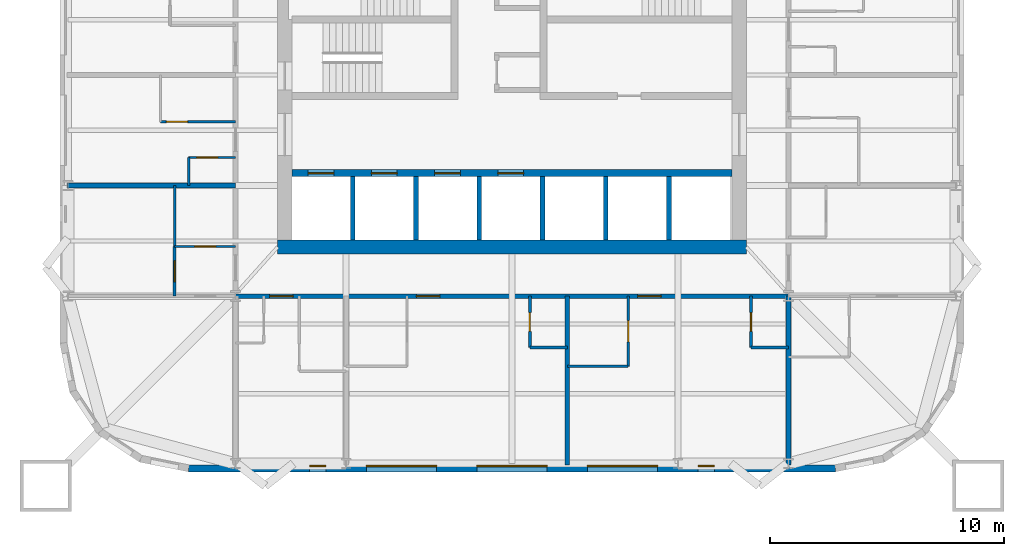
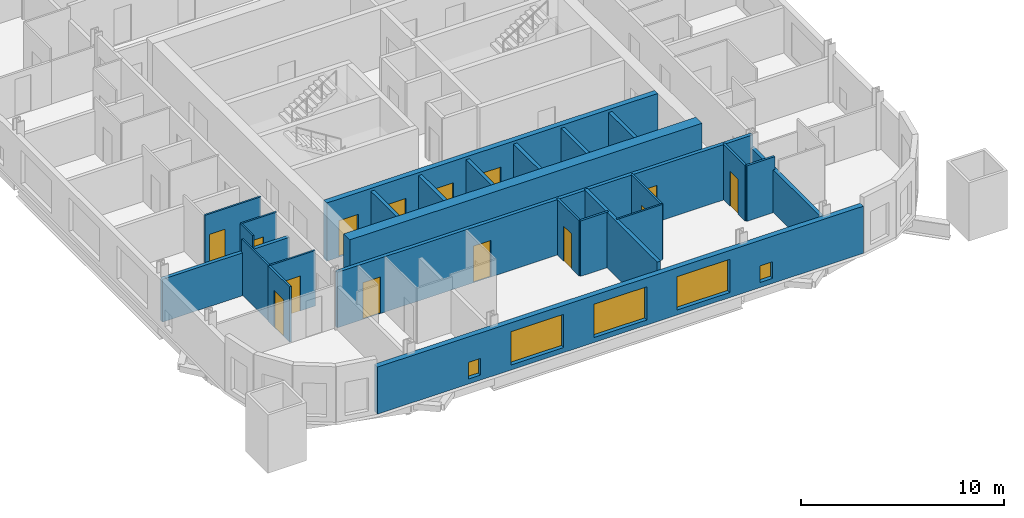
# One storey, part 3 of 9: 25 walls, 14 doors, 5 windows, 19 openings.
"""IFC4 building model written with IfcOpenShell, lengths in metres."""

import ifcopenshell
import ifcopenshell.guid

model = None  # the IFC model being written
_history = None  # IfcOwnerHistory: only IFC2X3 demands one
_inside = {}  # id of a spatial element -> (the spatial element, [elements in it])
_under = {}  # id of a project, library or spatial element -> (it, [spatial elements below it])
_declared = {}  # id of a project -> (the project, [libraries it declares])
_typed = {}  # id of a type object -> (the type object, [elements of that type])
_made_of = {}  # id of a material, layer set ... -> (it, [elements and type objects made of it])


def new_model(schema):
    """Start an empty IFC model of exactly this schema.

    Asked for "IFC4X3", IfcOpenShell would pick the latest addendum, in which some entities
    have other attributes; the version numbers below select the first issue.
    IFC2X3 requires an IfcOwnerHistory on every rooted entity: one is made here for all.
    """
    global model, _history
    if schema == "IFC4X3":
        model = ifcopenshell.file(schema_version=(4, 3, 0, 0))
    else:
        model = ifcopenshell.file(schema=schema)
    _inside.clear()
    _under.clear()
    _declared.clear()
    _typed.clear()
    _made_of.clear()
    _history = None
    if model.schema == "IFC2X3":
        org = make("IfcOrganization", Name="unknown")
        user = make(
            "IfcPersonAndOrganization",
            ThePerson=make("IfcPerson", FamilyName="unknown"),
            TheOrganization=org,
        )
        app = make(
            "IfcApplication",
            ApplicationDeveloper=org,
            Version="unknown",
            ApplicationFullName="unknown",
            ApplicationIdentifier="unknown",
        )
        _history = make(
            "IfcOwnerHistory",
            OwningUser=user,
            OwningApplication=app,
            ChangeAction="ADDED",
            CreationDate=0,
        )
    return model


def make(cls, **values):
    """One entity of the class cls with the attributes given. An attribute that is None is left unset."""
    return model.create_entity(
        cls, **{name: value for name, value in values.items() if value is not None}
    )


def rooted(cls, **values):
    """An entity with a GlobalId (a new one), such as an element, a storey or a relation."""
    return make(cls, GlobalId=ifcopenshell.guid.new(), OwnerHistory=_history, **values)


def si_unit(unit_type, name, prefix=None):
    """IfcSIUnit, for example si_unit("LENGTHUNIT", "METRE", prefix="MILLI")."""
    return make("IfcSIUnit", UnitType=unit_type, Prefix=prefix, Name=name)


def assignment(units):
    """IfcUnitAssignment: the units of a project."""
    return None if units is None else make("IfcUnitAssignment", Units=units)


def point(xyz):
    """IfcCartesianPoint."""
    return None if xyz is None else make("IfcCartesianPoint", Coordinates=xyz)


def direction(xyz):
    """IfcDirection."""
    return None if xyz is None else make("IfcDirection", DirectionRatios=xyz)


def frame(location, z_axis=None, x_axis=None):
    """IfcAxis2Placement3D, a coordinate frame: its origin and axes. An axis left out is left unset."""
    return make(
        "IfcAxis2Placement3D",
        Location=point(location),
        Axis=direction(z_axis),
        RefDirection=direction(x_axis),
    )


def frame_2d(location, x_axis=None):
    """IfcAxis2Placement2D, a coordinate frame in the plane: its origin and x axis."""
    return make(
        "IfcAxis2Placement2D", Location=point(location), RefDirection=direction(x_axis)
    )


def origin():
    """The frame at (0, 0, 0) with its axes left unset."""
    return frame((0.0, 0.0, 0.0))


def place(relative_to, where):
    """IfcLocalPlacement: puts the frame where relative to a parent placement (None: the world)."""
    return make(
        "IfcLocalPlacement", PlacementRelTo=relative_to, RelativePlacement=where
    )


def context(
    kind, dimensions, precision=None, world=None, true_north=None, identifier=None
):
    """IfcGeometricRepresentationContext, for example the 3D "Model" context."""
    return make(
        "IfcGeometricRepresentationContext",
        ContextIdentifier=identifier,
        ContextType=kind,
        CoordinateSpaceDimension=dimensions,
        Precision=precision,
        WorldCoordinateSystem=world,
        TrueNorth=true_north,
    )


def subcontext(parent, identifier, kind, view, scale=None):
    """IfcGeometricRepresentationSubContext, for example "Body" below "Model"."""
    return make(
        "IfcGeometricRepresentationSubContext",
        ContextIdentifier=identifier,
        ContextType=kind,
        ParentContext=parent,
        TargetScale=scale,
        TargetView=view,
    )


def project(units=None, contexts=None):
    """IfcProject with its units and contexts."""
    return rooted(
        "IfcProject",
        Name="project",
        RepresentationContexts=contexts,
        UnitsInContext=assignment(units),
    )


def spatial(cls, under=None, at=None, **own):
    """A site, building, storey or space (cls), placed at a placement, below another one or the project."""
    s = rooted(cls, ObjectPlacement=at, **own)
    if under is not None:
        _under.setdefault(under.id(), (under, []))[1].append(s)
    return s


def profile(cls, at=None, kind="AREA", **sizes):
    """A parametric profile (cls). Its sizes go by their IFC names, for example OverallWidth=200.0."""
    return make(cls, ProfileType=kind, Position=at, **sizes)


def rectangle(**sizes):
    """IfcRectangleProfileDef."""
    return profile("IfcRectangleProfileDef", **sizes)


def extrude(swept, where, along, depth):
    """IfcExtrudedAreaSolid: the profile swept, set in the frame where, extruded along a direction by depth."""
    return make(
        "IfcExtrudedAreaSolid",
        SweptArea=swept,
        Position=where,
        ExtrudedDirection=direction(along),
        Depth=depth,
    )


def shape(context_of_items, identifier, shape_type, items):
    """IfcShapeRepresentation: the items that make up one representation, for example the "Body"."""
    return make(
        "IfcShapeRepresentation",
        ContextOfItems=context_of_items,
        RepresentationIdentifier=identifier,
        RepresentationType=shape_type,
        Items=items,
    )


def material(Name=None, Category=None):
    """IfcMaterial."""
    return make("IfcMaterial", Name=Name, Category=Category)


def layer(
    of_material, thickness, ventilated=None, Name=None, Category=None, Priority=None
):
    """IfcMaterialLayer: one layer of a wall or slab, of a material (None: an air gap)."""
    return make(
        "IfcMaterialLayer",
        Material=of_material,
        LayerThickness=thickness,
        IsVentilated=ventilated,
        Name=Name,
        Category=Category,
        Priority=Priority,
    )


def layer_set(layers, Name=None):
    """IfcMaterialLayerSet."""
    return make("IfcMaterialLayerSet", MaterialLayers=layers, LayerSetName=Name)


def made_of(thing, what):
    """Note that an element or type object is made of a material, layer set ...; save() writes the relation."""
    if what is not None:
        _made_of.setdefault(what.id(), (what, []))[1].append(thing)
    return thing


def type_object(cls, material=None, **own):
    """A type object (cls), such as IfcWallType, which elements share."""
    return made_of(rooted(cls, **own), material)


def element(
    cls,
    number,
    at=None,
    inside=None,
    cuts=None,
    type_object=None,
    material=None,
    context=None,
    identifier="Body",
    shape_type=None,
    held_by="IfcProductDefinitionShape",
    body=None,
    shapes=None,
    **own,
):
    """One element of the class cls, such as IfcWall. Its Tag is "e" and its number.

    at: its placement. inside: the storey or other place that contains it. cuts: it is an
    opening in that element (IfcRelVoidsElement). A single representation is given by context,
    identifier, shape_type and body (its items); several are given by shapes. held_by: the class
    of the entity that holds the representations. save() writes the other relations.
    """
    e = rooted(cls, Tag="e%d" % number, ObjectPlacement=at, **own)
    if body is not None:
        shapes = [shape(context, identifier, shape_type, body)]
    if shapes is not None:
        e.Representation = make(held_by, Representations=shapes)
    if inside is not None:
        _inside.setdefault(inside.id(), (inside, []))[1].append(e)
    if cuts is not None:
        rooted(
            "IfcRelVoidsElement", RelatingBuildingElement=cuts, RelatedOpeningElement=e
        )
    if type_object is not None:
        _typed.setdefault(type_object.id(), (type_object, []))[1].append(e)
    return made_of(e, material)


def fill(opening, filler):
    """IfcRelFillsElement: the door or window that sits in an opening."""
    return rooted(
        "IfcRelFillsElement",
        RelatingOpeningElement=opening,
        RelatedBuildingElement=filler,
    )


def aggregate(whole, parts):
    """IfcRelAggregates: a whole, such as a stair, and the parts it consists of."""
    return rooted("IfcRelAggregates", RelatingObject=whole, RelatedObjects=parts)


def save(model, path):
    """Write the relations noted so far, then the file.

    IfcRelAggregates (storeys below a building ...), IfcRelContainedInSpatialStructure (elements
    in a storey), IfcRelDefinesByType, IfcRelAssociatesMaterial and IfcRelDeclares: one each for
    every whole, place, type object, material and project.
    """
    for whole, parts in _under.values():
        aggregate(whole, parts)
    for where, things in _inside.values():
        rooted(
            "IfcRelContainedInSpatialStructure",
            RelatedElements=things,
            RelatingStructure=where,
        )
    for kind, things in _typed.values():
        rooted("IfcRelDefinesByType", RelatedObjects=things, RelatingType=kind)
    for what, things in _made_of.values():
        rooted("IfcRelAssociatesMaterial", RelatedObjects=things, RelatingMaterial=what)
    for by, libraries in _declared.values():
        rooted("IfcRelDeclares", RelatingContext=by, RelatedDefinitions=libraries)
    model.write(path)


model = new_model("IFC4")

# Units and contexts
model_context = context("Model", 3, precision=1e-05, world=origin(), true_north=direction((0.0, 1.0)))
body_context = subcontext(model_context, "Body", "Model", "MODEL_VIEW")
ifc_project = project(units=[si_unit("LENGTHUNIT", "METRE"), si_unit("AREAUNIT", "SQUARE_METRE"), si_unit("VOLUMEUNIT", "CUBIC_METRE"), si_unit("PLANEANGLEUNIT", "RADIAN"), si_unit("MASSUNIT", "GRAM", prefix="KILO")], contexts=[model_context])

# Site, building, storey
site_placement = place(None, origin())
site = spatial("IfcSite", under=ifc_project, at=site_placement, CompositionType="ELEMENT")
building_placement = place(site_placement, origin())
building = spatial("IfcBuilding", under=site, at=building_placement, Name="Turquesa Mirador Hotel Tower", CompositionType="ELEMENT")
storey_placement = place(building_placement, frame((0.0, 0.0, 175.800048828125)))
storey = spatial("IfcBuildingStorey", under=building, at=storey_placement, Name="L47", CompositionType="ELEMENT", Elevation=175.800048828125)

# Wall
ifc_material_1 = material(Name="Gypsum board on steel studs", Category="steel")
ifc_layer_1 = layer(ifc_material_1, 0.10009765625)
ifc_layer_set_1 = layer_set([ifc_layer_1], Name="BATHROOM WALL 100")
wall_type_1 = type_object("IfcWallType", Name="BATHROOM WALL 100", PredefinedType="PARTITIONING", material=ifc_layer_set_1)
wall_1_placement = place(storey_placement, frame((57.360107421875, 30.199951171875, 0.0), z_axis=(0.0, 0.0, 1.0), x_axis=(1.0, 0.0, 0.0)))
element("IfcWall", 1, at=wall_1_placement, inside=storey, type_object=wall_type_1, Name="Partition L47 012", PredefinedType="PARTITIONING", context=body_context, shape_type="SweptSolid", body=[
    extrude(rectangle(XDim=2.599853515625, YDim=0.10009765625, at=frame_2d((1.2998046875, 0.0))), origin(), (0.0, 0.0, 1.0), 3.329833984375),
])

# Wall, opening, door
wall_2_placement = place(storey_placement, frame((40.0, 40.639892578125, 0.0), z_axis=(0.0, 0.0, 1.0), x_axis=(1.0, 0.0, 0.0)))
wall_2 = element("IfcWall", 2, at=wall_2_placement, inside=storey, type_object=wall_type_1, Name="Partition L47 017", PredefinedType="PARTITIONING", context=body_context, shape_type="SweptSolid", body=[
    extrude(rectangle(XDim=3.199951171875, YDim=0.10009765625, at=frame_2d((1.60009765625, 0.0))), origin(), (0.0, 0.0, 1.0), 3.329833984375),
])
opening_1_placement = place(wall_2_placement, frame((0.25, 0.0, 0.0)))
opening_1 = element("IfcOpeningElement", 3, at=opening_1_placement, cuts=wall_2, Name="Opening D02", PredefinedType="OPENING", context=body_context, shape_type="SweptSolid", body=[
    extrude(rectangle(XDim=0.89990234375, YDim=2.10009765625, at=frame_2d((0.449951171875, 1.050048828125))), frame((0.0, 0.06005859375, 0.0), z_axis=(0.0, -1.0, 0.0), x_axis=(1.0, 0.0, 0.0)), (0.0, 0.0, 1.0), 0.1201171875),
])
ifc_material_2 = material(Name="Timber veneered door", Category="wood")
door_type_1 = type_object("IfcDoorType", Name="DOOR 900X2100 EN-SUITE", OperationType="SINGLE_SWING_RIGHT", PredefinedType="DOOR", material=ifc_material_2)
door_1_placement = place(opening_1_placement, origin())
door_1 = element("IfcDoor", 4, at=door_1_placement, inside=storey, type_object=door_type_1, Name="Door 4712B", OperationType="SINGLE_SWING_RIGHT", OverallHeight=2.10009765625, OverallWidth=0.89990234375, PredefinedType="DOOR", context=body_context, shape_type="SweptSolid", body=[
    extrude(rectangle(XDim=0.89990234375, YDim=2.10009765625, at=frame_2d((0.449951171875, 1.050048828125))), frame((0.0, 0.02490234375, 0.0), z_axis=(0.0, -1.0, 0.0), x_axis=(1.0, 0.0, 0.0)), (0.0, 0.0, 1.0), 0.050048828125),
])
fill(opening_1, door_1)

wall_3_placement = place(storey_placement, frame((41.199951171875, 39.1201171875, 0.0), z_axis=(0.0, 0.0, 1.0), x_axis=(1.0, 0.0, 0.0)))
wall_3 = element("IfcWall", 5, at=wall_3_placement, inside=storey, type_object=wall_type_1, Name="Partition L47 018", PredefinedType="PARTITIONING", context=body_context, shape_type="SweptSolid", body=[
    extrude(rectangle(XDim=2.0, YDim=0.10009765625, at=frame_2d((1.0, 0.0))), origin(), (0.0, 0.0, 1.0), 3.329833984375),
])
opening_2_placement = place(wall_3_placement, frame((0.35009765625, 0.0, 0.0)))
opening_2 = element("IfcOpeningElement", 6, at=opening_2_placement, cuts=wall_3, Name="Opening D06", PredefinedType="OPENING", context=body_context, shape_type="SweptSolid", body=[
    extrude(rectangle(XDim=0.89990234375, YDim=2.10009765625, at=frame_2d((0.449951171875, 1.050048828125))), frame((0.0, 0.06005859375, 0.0), z_axis=(0.0, -1.0, 0.0), x_axis=(1.0, 0.0, 0.0)), (0.0, 0.0, 1.0), 0.1201171875),
])
ifc_material_3 = material(Name="Laminate door", Category="wood")
door_type_2 = type_object("IfcDoorType", Name="DOOR 900X2100 WC", OperationType="SINGLE_SWING_LEFT", PredefinedType="DOOR", material=ifc_material_3)
door_2_placement = place(opening_2_placement, origin())
door_2 = element("IfcDoor", 7, at=door_2_placement, inside=storey, type_object=door_type_2, Name="Door 4712W", OperationType="SINGLE_SWING_LEFT", OverallHeight=2.10009765625, OverallWidth=0.89990234375, PredefinedType="DOOR", context=body_context, shape_type="SweptSolid", body=[
    extrude(rectangle(XDim=0.89990234375, YDim=2.10009765625, at=frame_2d((0.449951171875, 1.050048828125))), frame((0.0, 0.02490234375, 0.0), z_axis=(0.0, -1.0, 0.0), x_axis=(1.0, 0.0, 0.0)), (0.0, 0.0, 1.0), 0.050048828125),
])
fill(opening_2, door_2)

wall_4_placement = place(storey_placement, frame((40.60009765625, 35.320068359375, 0.0), z_axis=(0.0, 0.0, 1.0), x_axis=(1.0, 0.0, 0.0)))
wall_4 = element("IfcWall", 8, at=wall_4_placement, inside=storey, type_object=wall_type_1, Name="Partition L47 022", PredefinedType="PARTITIONING", context=body_context, shape_type="SweptSolid", body=[
    extrude(rectangle(XDim=2.599853515625, YDim=0.10009765625, at=frame_2d((1.2998046875, 0.0))), origin(), (0.0, 0.0, 1.0), 3.329833984375),
])
opening_3_placement = place(wall_4_placement, frame((0.85009765625, 0.0, 0.0)))
opening_3 = element("IfcOpeningElement", 9, at=opening_3_placement, cuts=wall_4, Name="Opening D02", PredefinedType="OPENING", context=body_context, shape_type="SweptSolid", body=[
    extrude(rectangle(XDim=0.89990234375, YDim=2.10009765625, at=frame_2d((0.449951171875, 1.050048828125))), frame((0.0, 0.06005859375, 0.0), z_axis=(0.0, -1.0, 0.0), x_axis=(1.0, 0.0, 0.0)), (0.0, 0.0, 1.0), 0.1201171875),
])
door_3_placement = place(opening_3_placement, origin())
door_3 = element("IfcDoor", 10, at=door_3_placement, inside=storey, type_object=door_type_1, Name="Door 4717B", OperationType="SINGLE_SWING_RIGHT", OverallHeight=2.10009765625, OverallWidth=0.89990234375, PredefinedType="DOOR", context=body_context, shape_type="SweptSolid", body=[
    extrude(rectangle(XDim=0.89990234375, YDim=2.10009765625, at=frame_2d((0.449951171875, 1.050048828125))), frame((0.0, 0.02490234375, 0.0), z_axis=(0.0, -1.0, 0.0), x_axis=(1.0, 0.0, 0.0)), (0.0, 0.0, 1.0), 0.050048828125),
])
fill(opening_3, door_3)

# Walls
wall_5_placement = place(storey_placement, frame((41.199951171875, 37.919921875, 0.0), z_axis=(0.0, 0.0, 1.0), x_axis=(0.0, 1.0, 0.0)))
element("IfcWall", 11, at=wall_5_placement, inside=storey, type_object=wall_type_1, Name="Partition L47 054", PredefinedType="PARTITIONING", context=body_context, shape_type="SweptSolid", body=[
    extrude(rectangle(XDim=1.2001953125, YDim=0.10009765625, at=frame_2d((0.60009765625, 0.0))), origin(), (0.0, 0.0, 1.0), 3.329833984375),
])
wall_6_placement = place(storey_placement, frame((40.60009765625, 35.320068359375, 0.0), z_axis=(0.0, 0.0, 1.0), x_axis=(0.0, 1.0, 0.0)))
element("IfcWall", 12, at=wall_6_placement, inside=storey, type_object=wall_type_1, Name="Partition L47 055", PredefinedType="PARTITIONING", context=body_context, shape_type="SweptSolid", body=[
    extrude(rectangle(XDim=2.599853515625, YDim=0.10009765625, at=frame_2d((1.2998046875, 0.0))), origin(), (0.0, 0.0, 1.0), 3.329833984375),
])

# Wall, opening, door
wall_7_placement = place(storey_placement, frame((59.9599609375, 30.199951171875, 0.0), z_axis=(0.0, 0.0, 1.0), x_axis=(0.0, 1.0, 0.0)))
wall_7 = element("IfcWall", 13, at=wall_7_placement, inside=storey, type_object=wall_type_1, Name="Partition L47 088", PredefinedType="PARTITIONING", context=body_context, shape_type="SweptSolid", body=[
    extrude(rectangle(XDim=3.0, YDim=0.10009765625, at=frame_2d((1.5, 0.0))), origin(), (0.0, 0.0, 1.0), 3.329833984375),
])
opening_4_placement = place(wall_7_placement, frame((1.050048828125, 0.0, 0.0)))
opening_4 = element("IfcOpeningElement", 14, at=opening_4_placement, cuts=wall_7, Name="Opening D02", PredefinedType="OPENING", context=body_context, shape_type="SweptSolid", body=[
    extrude(rectangle(XDim=0.89990234375, YDim=2.10009765625, at=frame_2d((0.449951171875, 1.050048828125))), frame((0.0, 0.06005859375, 0.0), z_axis=(0.0, -1.0, 0.0), x_axis=(1.0, 0.0, 0.0)), (0.0, 0.0, 1.0), 0.1201171875),
])
door_4_placement = place(opening_4_placement, origin())
door_4 = element("IfcDoor", 15, at=door_4_placement, inside=storey, type_object=door_type_1, Name="Door 4708B", OperationType="SINGLE_SWING_RIGHT", OverallHeight=2.10009765625, OverallWidth=0.89990234375, PredefinedType="DOOR", context=body_context, shape_type="SweptSolid", body=[
    extrude(rectangle(XDim=0.89990234375, YDim=2.10009765625, at=frame_2d((0.449951171875, 1.050048828125))), frame((0.0, 0.02490234375, 0.0), z_axis=(0.0, -1.0, 0.0), x_axis=(1.0, 0.0, 0.0)), (0.0, 0.0, 1.0), 0.050048828125),
])
fill(opening_4, door_4)

# Wall, openings, doors
ifc_material_4 = material(Name="Concrete C50/60", Category="concrete")
ifc_layer_2 = layer(ifc_material_4, 0.300048828125)
ifc_layer_set_2 = layer_set([ifc_layer_2], Name="CORE INNER WALL 300")
wall_type_2 = type_object("IfcWallType", Name="CORE INNER WALL 300", PredefinedType="SHEAR", material=ifc_layer_set_2)
wall_8_placement = place(storey_placement, frame((45.60009765625, 38.449951171875, 0.0), z_axis=(0.0, 0.0, 1.0), x_axis=(1.0, 0.0, 0.0)))
wall_8 = element("IfcWall", 16, at=wall_8_placement, inside=storey, type_object=wall_type_2, Name="Core wall SL", PredefinedType="SHEAR", context=body_context, shape_type="SweptSolid", body=[
    extrude(rectangle(XDim=18.7998046875, YDim=0.300048828125, at=frame_2d((9.39990234375, 0.0))), origin(), (0.0, 0.0, 1.0), 3.5),
])
opening_5_placement = place(wall_8_placement, frame((0.699951171875, 0.0, 0.0)))
opening_5 = element("IfcOpeningElement", 17, at=opening_5_placement, cuts=wall_8, Name="Opening LD", PredefinedType="OPENING", context=body_context, shape_type="SweptSolid", body=[
    extrude(rectangle(XDim=1.10009765625, YDim=2.199951171875, at=frame_2d((0.550048828125, 1.10009765625))), frame((0.0, 0.159912109375, 0.0), z_axis=(0.0, -1.0, 0.0), x_axis=(1.0, 0.0, 0.0)), (0.0, 0.0, 1.0), 0.320068359375),
])
opening_6_placement = place(wall_8_placement, frame((3.39990234375, 0.0, 0.0)))
opening_6 = element("IfcOpeningElement", 18, at=opening_6_placement, cuts=wall_8, Name="Opening LD", PredefinedType="OPENING", context=body_context, shape_type="SweptSolid", body=[
    extrude(rectangle(XDim=1.10009765625, YDim=2.199951171875, at=frame_2d((0.550048828125, 1.10009765625))), frame((0.0, 0.159912109375, 0.0), z_axis=(0.0, -1.0, 0.0), x_axis=(1.0, 0.0, 0.0)), (0.0, 0.0, 1.0), 0.320068359375),
])
opening_7_placement = place(wall_8_placement, frame((6.10009765625, 0.0, 0.0)))
opening_7 = element("IfcOpeningElement", 19, at=opening_7_placement, cuts=wall_8, Name="Opening LD", PredefinedType="OPENING", context=body_context, shape_type="SweptSolid", body=[
    extrude(rectangle(XDim=1.10009765625, YDim=2.199951171875, at=frame_2d((0.550048828125, 1.10009765625))), frame((0.0, 0.159912109375, 0.0), z_axis=(0.0, -1.0, 0.0), x_axis=(1.0, 0.0, 0.0)), (0.0, 0.0, 1.0), 0.320068359375),
])
opening_8_placement = place(wall_8_placement, frame((8.800048828125, 0.0, 0.0)))
opening_8 = element("IfcOpeningElement", 20, at=opening_8_placement, cuts=wall_8, Name="Opening LD", PredefinedType="OPENING", context=body_context, shape_type="SweptSolid", body=[
    extrude(rectangle(XDim=1.10009765625, YDim=2.199951171875, at=frame_2d((0.550048828125, 1.10009765625))), frame((0.0, 0.159912109375, 0.0), z_axis=(0.0, -1.0, 0.0), x_axis=(1.0, 0.0, 0.0)), (0.0, 0.0, 1.0), 0.320068359375),
])
ifc_material_5 = material(Name="Stainless steel lift landing door", Category="steel")
door_type_3 = type_object("IfcDoorType", Name="LIFT LANDING DOOR 1100X2200", OperationType="SLIDING_TO_LEFT", PredefinedType="DOOR", material=ifc_material_5)
door_5_placement = place(opening_5_placement, origin())
door_5 = element("IfcDoor", 21, at=door_5_placement, inside=storey, type_object=door_type_3, Name="Lift B1 landing door", OperationType="SLIDING_TO_LEFT", OverallHeight=2.199951171875, OverallWidth=1.10009765625, PredefinedType="DOOR", context=body_context, shape_type="SweptSolid", body=[
    extrude(rectangle(XDim=1.10009765625, YDim=2.199951171875, at=frame_2d((0.550048828125, 1.10009765625))), frame((0.0, 0.02490234375, 0.0), z_axis=(0.0, -1.0, 0.0), x_axis=(1.0, 0.0, 0.0)), (0.0, 0.0, 1.0), 0.050048828125),
])
fill(opening_5, door_5)
door_6_placement = place(opening_6_placement, origin())
door_6 = element("IfcDoor", 22, at=door_6_placement, inside=storey, type_object=door_type_3, Name="Lift B2 landing door", OperationType="SLIDING_TO_LEFT", OverallHeight=2.199951171875, OverallWidth=1.10009765625, PredefinedType="DOOR", context=body_context, shape_type="SweptSolid", body=[
    extrude(rectangle(XDim=1.10009765625, YDim=2.199951171875, at=frame_2d((0.550048828125, 1.10009765625))), frame((0.0, 0.02490234375, 0.0), z_axis=(0.0, -1.0, 0.0), x_axis=(1.0, 0.0, 0.0)), (0.0, 0.0, 1.0), 0.050048828125),
])
fill(opening_6, door_6)
door_7_placement = place(opening_7_placement, origin())
door_7 = element("IfcDoor", 23, at=door_7_placement, inside=storey, type_object=door_type_3, Name="Lift B3 landing door", OperationType="SLIDING_TO_LEFT", OverallHeight=2.199951171875, OverallWidth=1.10009765625, PredefinedType="DOOR", context=body_context, shape_type="SweptSolid", body=[
    extrude(rectangle(XDim=1.10009765625, YDim=2.199951171875, at=frame_2d((0.550048828125, 1.10009765625))), frame((0.0, 0.02490234375, 0.0), z_axis=(0.0, -1.0, 0.0), x_axis=(1.0, 0.0, 0.0)), (0.0, 0.0, 1.0), 0.050048828125),
])
fill(opening_7, door_7)
door_8_placement = place(opening_8_placement, origin())
door_8 = element("IfcDoor", 24, at=door_8_placement, inside=storey, type_object=door_type_3, Name="Lift B4 landing door", OperationType="SLIDING_TO_LEFT", OverallHeight=2.199951171875, OverallWidth=1.10009765625, PredefinedType="DOOR", context=body_context, shape_type="SweptSolid", body=[
    extrude(rectangle(XDim=1.10009765625, YDim=2.199951171875, at=frame_2d((0.550048828125, 1.10009765625))), frame((0.0, 0.02490234375, 0.0), z_axis=(0.0, -1.0, 0.0), x_axis=(1.0, 0.0, 0.0)), (0.0, 0.0, 1.0), 0.050048828125),
])
fill(opening_8, door_8)

# Wall
ifc_material_6 = material(Name="Concrete C50/60", Category="concrete")
ifc_layer_3 = layer(ifc_material_6, 0.60009765625)
ifc_layer_set_3 = layer_set([ifc_layer_3], Name="CORE WALL 600")
wall_type_3 = type_object("IfcWallType", Name="CORE WALL 600", PredefinedType="SHEAR", material=ifc_layer_set_3)
wall_9_placement = place(storey_placement, frame((45.0, 35.300048828125, 0.0), z_axis=(0.0, 0.0, 1.0), x_axis=(1.0, 0.0, 0.0)))
element("IfcWall", 25, at=wall_9_placement, inside=storey, type_object=wall_type_3, Name="Core wall S", PredefinedType="SHEAR", context=body_context, shape_type="SweptSolid", body=[
    extrude(rectangle(XDim=20.0, YDim=0.60009765625, at=frame_2d((10.0, 0.0))), origin(), (0.0, 0.0, 1.0), 3.5),
])

# Wall, openings, doors
ifc_material_7 = material(Name="Fire-rated gypsum board on steel studs", Category="steel")
ifc_layer_4 = layer(ifc_material_7, 0.199951171875)
ifc_layer_set_4 = layer_set([ifc_layer_4], Name="CORRIDOR WALL 200")
wall_type_4 = type_object("IfcWallType", Name="CORRIDOR WALL 200", PredefinedType="PARTITIONING", material=ifc_layer_set_4)
wall_10_placement = place(storey_placement, frame((43.199951171875, 33.199951171875, 0.0), z_axis=(0.0, 0.0, 1.0), x_axis=(1.0, 0.0, 0.0)))
wall_10 = element("IfcWall", 26, at=wall_10_placement, inside=storey, type_object=wall_type_4, Name="Partition L47 004", PredefinedType="PARTITIONING", context=body_context, shape_type="SweptSolid", body=[
    extrude(rectangle(XDim=23.60009765625, YDim=0.199951171875, at=frame_2d((11.800048828125, 0.0))), origin(), (0.0, 0.0, 1.0), 3.329833984375),
])
opening_9_placement = place(wall_10_placement, frame((1.4599609375, 0.0, 0.0)))
opening_9 = element("IfcOpeningElement", 27, at=opening_9_placement, cuts=wall_10, Name="Opening D01", PredefinedType="OPENING", context=body_context, shape_type="SweptSolid", body=[
    extrude(rectangle(XDim=1.0, YDim=2.199951171875, at=frame_2d((0.5, 1.10009765625))), frame((0.0, 0.10986328125, 0.0), z_axis=(0.0, -1.0, 0.0), x_axis=(1.0, 0.0, 0.0)), (0.0, 0.0, 1.0), 0.219970703125),
])
opening_10_placement = place(wall_10_placement, frame((7.719970703125, 0.0, 0.0)))
opening_10 = element("IfcOpeningElement", 28, at=opening_10_placement, cuts=wall_10, Name="Opening D01", PredefinedType="OPENING", context=body_context, shape_type="SweptSolid", body=[
    extrude(rectangle(XDim=1.0, YDim=2.199951171875, at=frame_2d((0.5, 1.10009765625))), frame((0.0, 0.10986328125, 0.0), z_axis=(0.0, -1.0, 0.0), x_axis=(1.0, 0.0, 0.0)), (0.0, 0.0, 1.0), 0.219970703125),
])
opening_11_placement = place(wall_10_placement, frame((17.159912109375, 0.0, 0.0)))
opening_11 = element("IfcOpeningElement", 29, at=opening_11_placement, cuts=wall_10, Name="Opening D01", PredefinedType="OPENING", context=body_context, shape_type="SweptSolid", body=[
    extrude(rectangle(XDim=1.0, YDim=2.199951171875, at=frame_2d((0.5, 1.10009765625))), frame((0.0, 0.10986328125, 0.0), z_axis=(0.0, -1.0, 0.0), x_axis=(1.0, 0.0, 0.0)), (0.0, 0.0, 1.0), 0.219970703125),
])
ifc_material_8 = material(Name="Timber veneered fire door", Category="wood")
door_type_4 = type_object("IfcDoorType", Name="DOOR 1000X2200 GUEST ENTRY", OperationType="SINGLE_SWING_LEFT", PredefinedType="DOOR", material=ifc_material_8)
door_9_placement = place(opening_9_placement, origin())
door_9 = element("IfcDoor", 30, at=door_9_placement, inside=storey, type_object=door_type_4, Name="Door 4706", OperationType="SINGLE_SWING_LEFT", OverallHeight=2.199951171875, OverallWidth=1.0, PredefinedType="DOOR", context=body_context, shape_type="SweptSolid", body=[
    extrude(rectangle(XDim=1.0, YDim=2.199951171875, at=frame_2d((0.5, 1.10009765625))), frame((0.0, 0.02490234375, 0.0), z_axis=(0.0, -1.0, 0.0), x_axis=(1.0, 0.0, 0.0)), (0.0, 0.0, 1.0), 0.050048828125),
])
fill(opening_9, door_9)
door_10_placement = place(opening_10_placement, origin())
door_10 = element("IfcDoor", 31, at=door_10_placement, inside=storey, type_object=door_type_4, Name="Door 4707", OperationType="SINGLE_SWING_LEFT", OverallHeight=2.199951171875, OverallWidth=1.0, PredefinedType="DOOR", context=body_context, shape_type="SweptSolid", body=[
    extrude(rectangle(XDim=1.0, YDim=2.199951171875, at=frame_2d((0.5, 1.10009765625))), frame((0.0, 0.02490234375, 0.0), z_axis=(0.0, -1.0, 0.0), x_axis=(1.0, 0.0, 0.0)), (0.0, 0.0, 1.0), 0.050048828125),
])
fill(opening_10, door_10)
door_11_placement = place(opening_11_placement, origin())
door_11 = element("IfcDoor", 32, at=door_11_placement, inside=storey, type_object=door_type_4, Name="Door 4708", OperationType="SINGLE_SWING_LEFT", OverallHeight=2.199951171875, OverallWidth=1.0, PredefinedType="DOOR", context=body_context, shape_type="SweptSolid", body=[
    extrude(rectangle(XDim=1.0, YDim=2.199951171875, at=frame_2d((0.5, 1.10009765625))), frame((0.0, 0.02490234375, 0.0), z_axis=(0.0, -1.0, 0.0), x_axis=(1.0, 0.0, 0.0)), (0.0, 0.0, 1.0), 0.050048828125),
])
fill(opening_11, door_11)

# Wall, openings, windows
ifc_material_9 = material(Name="Limestone cladding on concrete block", Category="masonry")
ifc_layer_5 = layer(ifc_material_9, 0.300048828125)
ifc_layer_set_5 = layer_set([ifc_layer_5], Name="FACADE WALL 300 STONE SCREEN")
wall_type_5 = type_object("IfcWallType", Name="FACADE WALL 300 STONE SCREEN", PredefinedType="SOLIDWALL", material=ifc_layer_set_5)
wall_11_placement = place(storey_placement, frame((41.199951171875, 25.85009765625, 0.0), z_axis=(0.0, 0.0, 1.0), x_axis=(1.0, 0.0, 0.0)))
wall_11 = element("IfcWall", 33, at=wall_11_placement, inside=storey, type_object=wall_type_5, Name="Facade wall L47 19", PredefinedType="SOLIDWALL", context=body_context, shape_type="SweptSolid", body=[
    extrude(rectangle(XDim=27.60009765625, YDim=0.300048828125, at=frame_2d((13.800048828125, 0.0))), origin(), (0.0, 0.0, 1.0), 2.829833984375),
])
opening_12_placement = place(wall_11_placement, frame((5.159912109375, 0.0, 0.300048828125)))
opening_12 = element("IfcOpeningElement", 34, at=opening_12_placement, cuts=wall_11, Name="Opening WN32", PredefinedType="OPENING", context=body_context, shape_type="SweptSolid", body=[
    extrude(rectangle(XDim=0.699951171875, YDim=1.0, at=frame_2d((0.35009765625, 0.5))), frame((0.0, 0.159912109375, 0.0), z_axis=(0.0, -1.0, 0.0), x_axis=(1.0, 0.0, 0.0)), (0.0, 0.0, 1.0), 0.320068359375),
])
opening_13_placement = place(wall_11_placement, frame((7.580078125, 0.0, 0.300048828125)))
opening_13 = element("IfcOpeningElement", 35, at=opening_13_placement, cuts=wall_11, Name="Opening WN1", PredefinedType="OPENING", context=body_context, shape_type="SweptSolid", body=[
    extrude(rectangle(XDim=3.0, YDim=2.0, at=frame_2d((1.5, 1.0))), frame((0.0, 0.159912109375, 0.0), z_axis=(0.0, -1.0, 0.0), x_axis=(1.0, 0.0, 0.0)), (0.0, 0.0, 1.0), 0.320068359375),
])
opening_14_placement = place(wall_11_placement, frame((12.300048828125, 0.0, 0.300048828125)))
opening_14 = element("IfcOpeningElement", 36, at=opening_14_placement, cuts=wall_11, Name="Opening WN1", PredefinedType="OPENING", context=body_context, shape_type="SweptSolid", body=[
    extrude(rectangle(XDim=3.0, YDim=2.0, at=frame_2d((1.5, 1.0))), frame((0.0, 0.159912109375, 0.0), z_axis=(0.0, -1.0, 0.0), x_axis=(1.0, 0.0, 0.0)), (0.0, 0.0, 1.0), 0.320068359375),
])
opening_15_placement = place(wall_11_placement, frame((17.02001953125, 0.0, 0.300048828125)))
opening_15 = element("IfcOpeningElement", 37, at=opening_15_placement, cuts=wall_11, Name="Opening WN1", PredefinedType="OPENING", context=body_context, shape_type="SweptSolid", body=[
    extrude(rectangle(XDim=3.0, YDim=2.0, at=frame_2d((1.5, 1.0))), frame((0.0, 0.159912109375, 0.0), z_axis=(0.0, -1.0, 0.0), x_axis=(1.0, 0.0, 0.0)), (0.0, 0.0, 1.0), 0.320068359375),
])
opening_16_placement = place(wall_11_placement, frame((21.739990234375, 0.0, 0.300048828125)))
opening_16 = element("IfcOpeningElement", 38, at=opening_16_placement, cuts=wall_11, Name="Opening WN32", PredefinedType="OPENING", context=body_context, shape_type="SweptSolid", body=[
    extrude(rectangle(XDim=0.699951171875, YDim=1.0, at=frame_2d((0.35009765625, 0.5))), frame((0.0, 0.159912109375, 0.0), z_axis=(0.0, -1.0, 0.0), x_axis=(1.0, 0.0, 0.0)), (0.0, 0.0, 1.0), 0.320068359375),
])
ifc_material_10 = material(Name="Ceramic-fritted laminated glass", Category="glass")
window_type_1 = type_object("IfcWindowType", Name="FRITTED WINDOW 3000X2000", PartitioningType="DOUBLE_PANEL_HORIZONTAL", PredefinedType="WINDOW", material=ifc_material_10)
window_1_placement = place(opening_13_placement, origin())
window_1 = element("IfcWindow", 39, at=window_1_placement, inside=storey, type_object=window_type_1, Name="Window L47", OverallHeight=2.0, OverallWidth=3.0, PartitioningType="SINGLE_PANEL", PredefinedType="WINDOW", context=body_context, shape_type="SweptSolid", body=[
    extrude(rectangle(XDim=3.0, YDim=2.0, at=frame_2d((1.5, 1.0))), frame((0.0, 0.130126953125, 0.0), z_axis=(0.0, -1.0, 0.0), x_axis=(1.0, 0.0, 0.0)), (0.0, 0.0, 1.0), 0.06005859375),
])
fill(opening_13, window_1)
window_2_placement = place(opening_14_placement, origin())
window_2 = element("IfcWindow", 40, at=window_2_placement, inside=storey, type_object=window_type_1, Name="Window L47", OverallHeight=2.0, OverallWidth=3.0, PartitioningType="SINGLE_PANEL", PredefinedType="WINDOW", context=body_context, shape_type="SweptSolid", body=[
    extrude(rectangle(XDim=3.0, YDim=2.0, at=frame_2d((1.5, 1.0))), frame((0.0, 0.130126953125, 0.0), z_axis=(0.0, -1.0, 0.0), x_axis=(1.0, 0.0, 0.0)), (0.0, 0.0, 1.0), 0.06005859375),
])
fill(opening_14, window_2)
window_3_placement = place(opening_15_placement, origin())
window_3 = element("IfcWindow", 41, at=window_3_placement, inside=storey, type_object=window_type_1, Name="Window L47", OverallHeight=2.0, OverallWidth=3.0, PartitioningType="SINGLE_PANEL", PredefinedType="WINDOW", context=body_context, shape_type="SweptSolid", body=[
    extrude(rectangle(XDim=3.0, YDim=2.0, at=frame_2d((1.5, 1.0))), frame((0.0, 0.130126953125, 0.0), z_axis=(0.0, -1.0, 0.0), x_axis=(1.0, 0.0, 0.0)), (0.0, 0.0, 1.0), 0.06005859375),
])
fill(opening_15, window_3)
ifc_material_11 = material(Name="Ceramic-fritted laminated glass", Category="glass")
window_type_2 = type_object("IfcWindowType", Name="FRITTED WINDOW 700X1000", PartitioningType="DOUBLE_PANEL_HORIZONTAL", PredefinedType="WINDOW", material=ifc_material_11)
window_4_placement = place(opening_12_placement, origin())
window_4 = element("IfcWindow", 42, at=window_4_placement, inside=storey, type_object=window_type_2, Name="Window L47", OverallHeight=1.0, OverallWidth=0.699951171875, PartitioningType="SINGLE_PANEL", PredefinedType="WINDOW", context=body_context, shape_type="SweptSolid", body=[
    extrude(rectangle(XDim=0.699951171875, YDim=1.0, at=frame_2d((0.35009765625, 0.5))), frame((0.0, 0.130126953125, 0.0), z_axis=(0.0, -1.0, 0.0), x_axis=(1.0, 0.0, 0.0)), (0.0, 0.0, 1.0), 0.06005859375),
])
fill(opening_12, window_4)
window_5_placement = place(opening_16_placement, origin())
window_5 = element("IfcWindow", 43, at=window_5_placement, inside=storey, type_object=window_type_2, Name="Window L47", OverallHeight=1.0, OverallWidth=0.699951171875, PartitioningType="SINGLE_PANEL", PredefinedType="WINDOW", context=body_context, shape_type="SweptSolid", body=[
    extrude(rectangle(XDim=0.699951171875, YDim=1.0, at=frame_2d((0.35009765625, 0.5))), frame((0.0, 0.130126953125, 0.0), z_axis=(0.0, -1.0, 0.0), x_axis=(1.0, 0.0, 0.0)), (0.0, 0.0, 1.0), 0.06005859375),
])
fill(opening_16, window_5)

# Walls
ifc_material_12 = material(Name="Fire-rated gypsum shaft wall on steel studs", Category="steel")
ifc_layer_6 = layer(ifc_material_12, 0.199951171875)
ifc_layer_set_6 = layer_set([ifc_layer_6], Name="LIFT SHAFT DIVIDER 200")
wall_type_6 = type_object("IfcWallType", Name="LIFT SHAFT DIVIDER 200", PredefinedType="PARTITIONING", material=ifc_layer_set_6)
for number, where, z_axis, x_axis, name in (
    (44, (48.199951171875, 35.60009765625, 0.0), (0.0, 0.0, 1.0), (0.0, 1.0, 0.0), "Lift shaft divider"),
    (45, (50.89990234375, 35.60009765625, 0.0), (0.0, 0.0, 1.0), (0.0, 1.0, 0.0), "Lift shaft divider"),
    (46, (53.60009765625, 35.60009765625, 0.0), (0.0, 0.0, 1.0), (0.0, 1.0, 0.0), "Lift shaft divider"),
    (47, (56.300048828125, 35.60009765625, 0.0), (0.0, 0.0, 1.0), (0.0, 1.0, 0.0), "Lift shaft divider"),
    (48, (59.0, 35.60009765625, 0.0), (0.0, 0.0, 1.0), (0.0, 1.0, 0.0), "Lift shaft divider"),
    (49, (61.699951171875, 35.60009765625, 0.0), (0.0, 0.0, 1.0), (0.0, 1.0, 0.0), "Lift shaft divider"),
):
    element("IfcWall", number, at=place(storey_placement, frame(where, z_axis=z_axis, x_axis=x_axis)), inside=storey, type_object=wall_type_6, Name=name, PredefinedType="PARTITIONING", context=body_context, shape_type="SweptSolid", body=[
        extrude(rectangle(XDim=2.699951171875, YDim=0.199951171875, at=frame_2d((1.35009765625, 0.0))), origin(), (0.0, 0.0, 1.0), 3.329833984375),
    ])
ifc_material_13 = material(Name="Fire-rated gypsum board on steel studs", Category="steel")
ifc_layer_7 = layer(ifc_material_13, 0.199951171875)
ifc_layer_set_7 = layer_set([ifc_layer_7], Name="PARTY WALL 200")
wall_type_7 = type_object("IfcWallType", Name="PARTY WALL 200", PredefinedType="PARTITIONING", material=ifc_layer_set_7)
for number, where, z_axis, x_axis, name in (
    (50, (36.0, 37.919921875, 0.0), (0.0, 0.0, 1.0), (1.0, 0.0, 0.0), "Partition L47 019"),
    (51, (66.800048828125, 26.0, 0.0), (0.0, 0.0, 1.0), (0.0, 1.0, 0.0), "Partition L47 074"),
):
    element("IfcWall", number, at=place(storey_placement, frame(where, z_axis=z_axis, x_axis=x_axis)), inside=storey, type_object=wall_type_7, Name=name, PredefinedType="PARTITIONING", context=body_context, shape_type="SweptSolid", body=[
        extrude(rectangle(XDim=7.199951171875, YDim=0.199951171875, at=frame_2d((3.60009765625, 0.0))), origin(), (0.0, 0.0, 1.0), 2.572998046875),
    ])
wall_12_placement = place(storey_placement, frame((57.360107421875, 26.0, 0.0), z_axis=(0.0, 0.0, 1.0), x_axis=(0.0, 1.0, 0.0)))
element("IfcWall", 52, at=wall_12_placement, inside=storey, type_object=wall_type_7, Name="Partition L47 085", PredefinedType="PARTITIONING", context=body_context, shape_type="SweptSolid", body=[
    extrude(rectangle(XDim=7.199951171875, YDim=0.199951171875, at=frame_2d((3.60009765625, 0.0))), origin(), (0.0, 0.0, 1.0), 3.329833984375),
])
ifc_material_14 = material(Name="Acoustic gypsum board on steel studs", Category="steel")
ifc_layer_8 = layer(ifc_material_14, 0.125)
ifc_layer_set_8 = layer_set([ifc_layer_8], Name="SUITE PARTITION 125")
wall_type_8 = type_object("IfcWallType", Name="SUITE PARTITION 125", PredefinedType="PARTITIONING", material=ifc_layer_set_8)
for number, where, z_axis, x_axis, name in (
    (53, (55.760009765625, 31.0, 0.0), (0.0, 0.0, 1.0), (1.0, 0.0, 0.0), "Partition L47 008"),
    (54, (65.199951171875, 31.0, 0.0), (0.0, 0.0, 1.0), (1.0, 0.0, 0.0), "Partition L47 009"),
):
    element("IfcWall", number, at=place(storey_placement, frame(where, z_axis=z_axis, x_axis=x_axis)), inside=storey, type_object=wall_type_8, Name=name, PredefinedType="PARTITIONING", context=body_context, shape_type="SweptSolid", body=[
        extrude(rectangle(XDim=1.60009765625, YDim=0.125, at=frame_2d((0.800048828125, 0.0))), origin(), (0.0, 0.0, 1.0), 3.329833984375),
    ])

# Wall, opening, door
wall_13_placement = place(storey_placement, frame((40.60009765625, 33.199951171875, 0.0), z_axis=(0.0, 0.0, 1.0), x_axis=(0.0, 1.0, 0.0)))
wall_13 = element("IfcWall", 55, at=wall_13_placement, inside=storey, type_object=wall_type_8, Name="Partition L47 057", PredefinedType="PARTITIONING", context=body_context, shape_type="SweptSolid", body=[
    extrude(rectangle(XDim=2.1201171875, YDim=0.125, at=frame_2d((1.06005859375, 0.0))), origin(), (0.0, 0.0, 1.0), 3.329833984375),
])
opening_17_placement = place(wall_13_placement, frame((0.610107421875, 0.0, 0.0)))
opening_17 = element("IfcOpeningElement", 56, at=opening_17_placement, cuts=wall_13, Name="Opening D17", PredefinedType="OPENING", context=body_context, shape_type="SweptSolid", body=[
    extrude(rectangle(XDim=0.89990234375, YDim=2.199951171875, at=frame_2d((0.449951171875, 1.10009765625))), frame((0.0, 0.072509765625, 0.0), z_axis=(0.0, -1.0, 0.0), x_axis=(1.0, 0.0, 0.0)), (0.0, 0.0, 1.0), 0.14501953125),
])
ifc_material_15 = material(Name="Timber veneered door", Category="wood")
door_type_5 = type_object("IfcDoorType", Name="DOOR 900X2200 SUITE INTERNAL", OperationType="SINGLE_SWING_LEFT", PredefinedType="DOOR", material=ifc_material_15)
door_12_placement = place(opening_17_placement, origin())
door_12 = element("IfcDoor", 57, at=door_12_placement, inside=storey, type_object=door_type_5, Name="Door 4717R", OperationType="SINGLE_SWING_LEFT", OverallHeight=2.199951171875, OverallWidth=0.89990234375, PredefinedType="DOOR", context=body_context, shape_type="SweptSolid", body=[
    extrude(rectangle(XDim=0.89990234375, YDim=2.199951171875, at=frame_2d((0.449951171875, 1.10009765625))), frame((0.0, 0.02490234375, 0.0), z_axis=(0.0, -1.0, 0.0), x_axis=(1.0, 0.0, 0.0)), (0.0, 0.0, 1.0), 0.050048828125),
])
fill(opening_17, door_12)

wall_14_placement = place(storey_placement, frame((55.760009765625, 31.0, 0.0), z_axis=(0.0, 0.0, 1.0), x_axis=(0.0, 1.0, 0.0)))
wall_14 = element("IfcWall", 58, at=wall_14_placement, inside=storey, type_object=wall_type_8, Name="Partition L47 071", PredefinedType="PARTITIONING", context=body_context, shape_type="SweptSolid", body=[
    extrude(rectangle(XDim=2.199951171875, YDim=0.125, at=frame_2d((1.10009765625, 0.0))), origin(), (0.0, 0.0, 1.0), 3.329833984375),
])
opening_18_placement = place(wall_14_placement, frame((0.699951171875, 0.0, 0.0)))
opening_18 = element("IfcOpeningElement", 59, at=opening_18_placement, cuts=wall_14, Name="Opening D20", PredefinedType="OPENING", context=body_context, shape_type="SweptSolid", body=[
    extrude(rectangle(XDim=0.800048828125, YDim=2.10009765625, at=frame_2d((0.39990234375, 1.050048828125))), frame((0.0, 0.072509765625, 0.0), z_axis=(0.0, -1.0, 0.0), x_axis=(1.0, 0.0, 0.0)), (0.0, 0.0, 1.0), 0.14501953125),
])
ifc_material_16 = material(Name="Timber veneered sliding door", Category="wood")
door_type_6 = type_object("IfcDoorType", Name="DOOR 800X2100 WARDROBE", OperationType="SLIDING_TO_LEFT", PredefinedType="DOOR", material=ifc_material_16)
door_13_placement = place(opening_18_placement, origin())
door_13 = element("IfcDoor", 60, at=door_13_placement, inside=storey, type_object=door_type_6, Name="Door 4707W", OperationType="SLIDING_TO_LEFT", OverallHeight=2.10009765625, OverallWidth=0.800048828125, PredefinedType="DOOR", context=body_context, shape_type="SweptSolid", body=[
    extrude(rectangle(XDim=0.800048828125, YDim=2.10009765625, at=frame_2d((0.39990234375, 1.050048828125))), frame((0.0, 0.02490234375, 0.0), z_axis=(0.0, -1.0, 0.0), x_axis=(1.0, 0.0, 0.0)), (0.0, 0.0, 1.0), 0.050048828125),
])
fill(opening_18, door_13)

wall_15_placement = place(storey_placement, frame((65.199951171875, 31.0, 0.0), z_axis=(0.0, 0.0, 1.0), x_axis=(0.0, 1.0, 0.0)))
wall_15 = element("IfcWall", 61, at=wall_15_placement, inside=storey, type_object=wall_type_8, Name="Partition L47 072", PredefinedType="PARTITIONING", context=body_context, shape_type="SweptSolid", body=[
    extrude(rectangle(XDim=2.199951171875, YDim=0.125, at=frame_2d((1.10009765625, 0.0))), origin(), (0.0, 0.0, 1.0), 3.329833984375),
])
opening_19_placement = place(wall_15_placement, frame((0.699951171875, 0.0, 0.0)))
opening_19 = element("IfcOpeningElement", 62, at=opening_19_placement, cuts=wall_15, Name="Opening D20", PredefinedType="OPENING", context=body_context, shape_type="SweptSolid", body=[
    extrude(rectangle(XDim=0.800048828125, YDim=2.10009765625, at=frame_2d((0.39990234375, 1.050048828125))), frame((0.0, 0.072509765625, 0.0), z_axis=(0.0, -1.0, 0.0), x_axis=(1.0, 0.0, 0.0)), (0.0, 0.0, 1.0), 0.14501953125),
])
door_14_placement = place(opening_19_placement, origin())
door_14 = element("IfcDoor", 63, at=door_14_placement, inside=storey, type_object=door_type_6, Name="Door 4708W", OperationType="SLIDING_TO_LEFT", OverallHeight=2.10009765625, OverallWidth=0.800048828125, PredefinedType="DOOR", context=body_context, shape_type="SweptSolid", body=[
    extrude(rectangle(XDim=0.800048828125, YDim=2.10009765625, at=frame_2d((0.39990234375, 1.050048828125))), frame((0.0, 0.02490234375, 0.0), z_axis=(0.0, -1.0, 0.0), x_axis=(1.0, 0.0, 0.0)), (0.0, 0.0, 1.0), 0.050048828125),
])
fill(opening_19, door_14)

save(model, "model.ifc")
